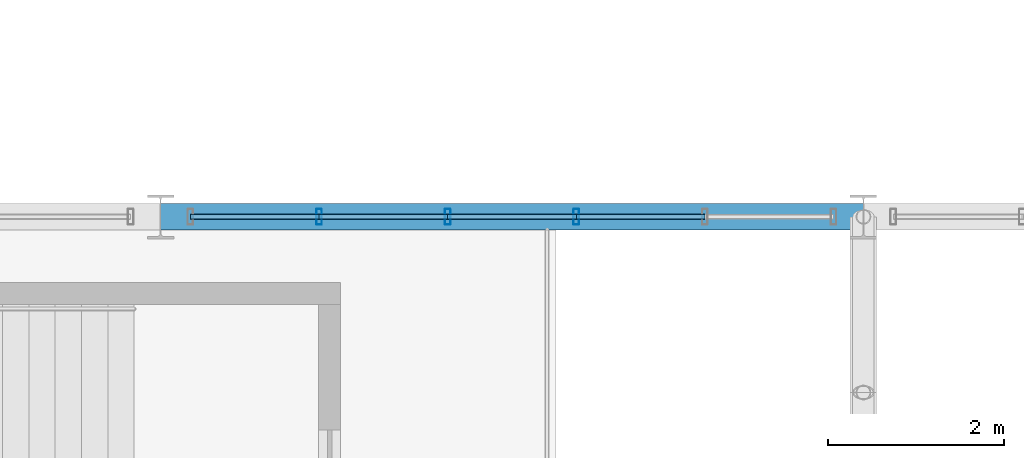
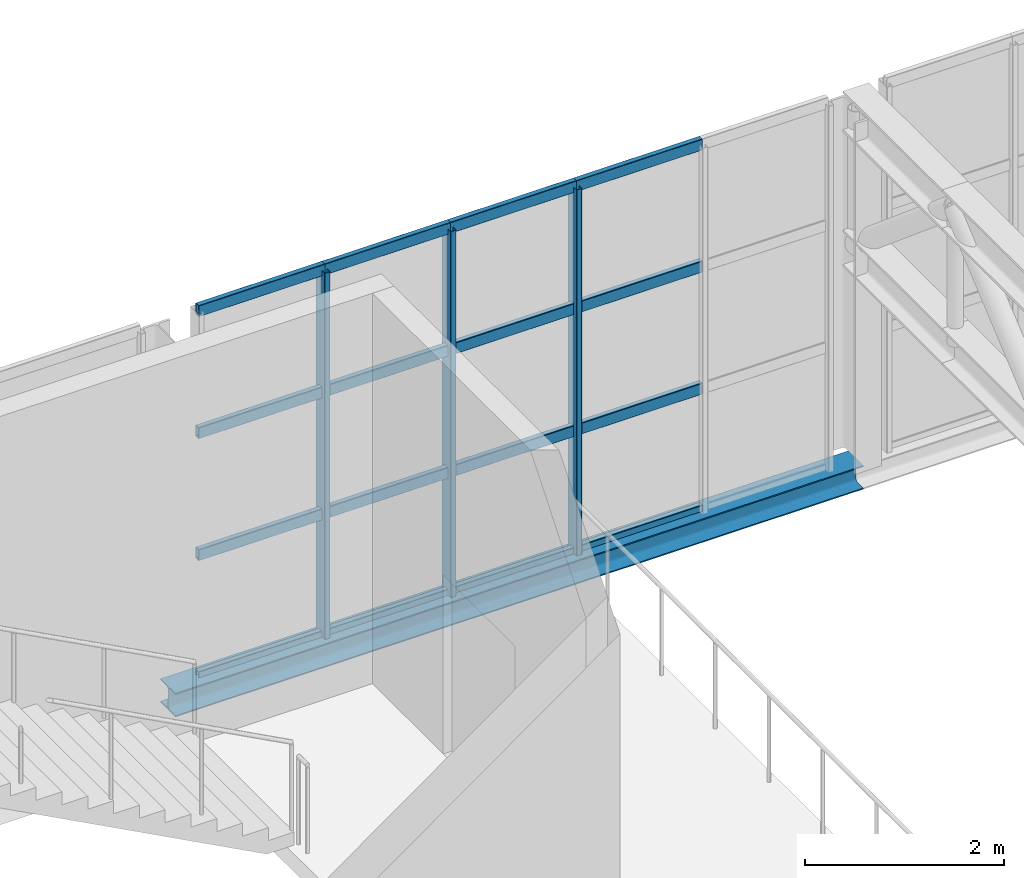
# One storey, part 52 of 143: 19 members, 1 beam, 1 element without a shape of its own.
"""IFC4 building model written with IfcOpenShell, lengths in metres."""

from ifc_helpers import new_model, si_unit, derived_unit, direction, frame, origin, origin_2d, place, context, subcontext, project, spatial, hollow_rectangle, i_section, extrude, material, material_profile, profile_set, type_object, element, aggregate, save


model = new_model("IFC4")

# Units and contexts
model_context = context("Model", 3, precision=1e-05, world=origin(), true_north=direction((0.0, 1.0)))
body_context = subcontext(model_context, "Body", "Model", "MODEL_VIEW")
ifc_project = project(units=[si_unit("LENGTHUNIT", "METRE"), si_unit("AREAUNIT", "SQUARE_METRE"), si_unit("VOLUMEUNIT", "CUBIC_METRE"), si_unit("PLANEANGLEUNIT", "RADIAN"), si_unit("MASSUNIT", "GRAM", prefix="KILO"), derived_unit("THERMALTRANSMITTANCEUNIT", [(si_unit("POWERUNIT", "WATT"), 1), (si_unit("LENGTHUNIT", "METRE"), -2), (si_unit("THERMODYNAMICTEMPERATUREUNIT", "KELVIN"), -1)])], contexts=[model_context])

# Site, building, storey
site_placement = place(None, origin())
site = spatial("IfcSite", under=ifc_project, at=site_placement, CompositionType="ELEMENT")
building_placement = place(site_placement, origin())
building = spatial("IfcBuilding", under=site, at=building_placement, Name="Keldorne Ridge Multi-Sports Centre", CompositionType="ELEMENT")
storey_placement = place(building_placement, frame((0.0, 0.0, 4.800048828125)))
storey = spatial("IfcBuildingStorey", under=building, at=storey_placement, Name="L01", CompositionType="ELEMENT", Elevation=4.800048828125)

# Beam
ifc_material_1 = material(Name="Steel S355", Category="steel")
ifc_material_profile_1 = material_profile(ifc_material_1, i_section(OverallWidth=0.300048828125, OverallDepth=0.2900390625, WebThickness=0.008544921875, FlangeThickness=0.013916015625, FilletRadius=0.027099609375, at=origin_2d()), Name="HEA 300")
ifc_profile_set_1 = profile_set([ifc_material_profile_1], Name="Steel S355")
beam_type = type_object("IfcBeamType", Name="BM-SP-04", PredefinedType="SPANDREL", material=ifc_profile_set_1)
beam_placement = place(storey_placement, frame((112.0, 54.0, -0.150146484375), z_axis=(1.0, 0.0, 0.0), x_axis=(0.0, 1.0, 0.0)))
element("IfcBeam", 1, at=beam_placement, inside=storey, type_object=beam_type, Name="Stacked Courts spandrel L01.54.2", PredefinedType="SPANDREL", context=body_context, shape_type="SweptSolid", body=[
    extrude(i_section(OverallWidth=0.300048828125, OverallDepth=0.2900390625, WebThickness=0.008544921875, FlangeThickness=0.013916015625, FilletRadius=0.027099609375, at=origin_2d()), origin(), (0.0, 0.0, 1.0), 8.0),
])

# Curtain wall, members
ifc_material_2 = material(Name="Anodized aluminium", Category="aluminium")
curtain_wall_type = type_object("IfcCurtainWallType", Name="CW-CW-01", PredefinedType="NOTDEFINED", material=ifc_material_2)
curtain_wall_placement = place(storey_placement, origin())
curtain_wall = element("IfcCurtainWall", 2, at=curtain_wall_placement, inside=storey, type_object=curtain_wall_type, Name="Lower Courts north clerestory 097", PredefinedType="NOTDEFINED")
ifc_material_profile_2 = material_profile(ifc_material_2, hollow_rectangle(XDim=0.06494140625, YDim=0.179931640625, WallThickness=0.00439453125, InnerFilletRadius=0.00439453125, OuterFilletRadius=0.009033203125, at=origin_2d()), Name="ALU MULLION 180x65x4.5")
ifc_profile_set_2 = profile_set([ifc_material_profile_2], Name="Anodized aluminium")
member_type_1 = type_object("IfcMemberType", Name="MEM-ML-01", PredefinedType="MULLION", material=ifc_profile_set_2)
member_1_placement = place(storey_placement, frame((116.73193359375, 54.0, 0.0), z_axis=(0.0, 0.0, 1.0), x_axis=(1.0, 0.0, 0.0)))
member_1 = element("IfcMember", 3, at=member_1_placement, type_object=member_type_1, Name="CW-097 vertical mullion 3", PredefinedType="MULLION", context=body_context, shape_type="SweptSolid", body=[
    extrude(hollow_rectangle(XDim=0.06494140625, YDim=0.179931640625, WallThickness=0.00439453125, InnerFilletRadius=0.00439453125, OuterFilletRadius=0.009033203125, at=origin_2d()), origin(), (0.0, 0.0, 1.0), 4.5),
])
member_2_placement = place(storey_placement, frame((115.26806640625, 54.0, 0.0), z_axis=(0.0, 0.0, 1.0), x_axis=(1.0, 0.0, 0.0)))
member_2 = element("IfcMember", 4, at=member_2_placement, type_object=member_type_1, Name="CW-097 vertical mullion 4", PredefinedType="MULLION", context=body_context, shape_type="SweptSolid", body=[
    extrude(hollow_rectangle(XDim=0.06494140625, YDim=0.179931640625, WallThickness=0.00439453125, InnerFilletRadius=0.00439453125, OuterFilletRadius=0.009033203125, at=origin_2d()), origin(), (0.0, 0.0, 1.0), 4.5),
])
member_3_placement = place(storey_placement, frame((113.803955078125, 54.0, 0.0), z_axis=(0.0, 0.0, 1.0), x_axis=(1.0, 0.0, 0.0)))
member_3 = element("IfcMember", 5, at=member_3_placement, type_object=member_type_1, Name="CW-097 vertical mullion 5", PredefinedType="MULLION", context=body_context, shape_type="SweptSolid", body=[
    extrude(hollow_rectangle(XDim=0.06494140625, YDim=0.179931640625, WallThickness=0.00439453125, InnerFilletRadius=0.00439453125, OuterFilletRadius=0.009033203125, at=origin_2d()), origin(), (0.0, 0.0, 1.0), 4.5),
])
ifc_material_profile_3 = material_profile(ifc_material_2, hollow_rectangle(XDim=0.06494140625, YDim=0.139892578125, WallThickness=0.00439453125, InnerFilletRadius=0.00439453125, OuterFilletRadius=0.009033203125, at=origin_2d()), Name="ALU TRANSOM 140x65x4.5")
ifc_profile_set_3 = profile_set([ifc_material_profile_3], Name="Anodized aluminium")
member_type_2 = type_object("IfcMemberType", Name="MEM-TR-01", PredefinedType="USERDEFINED", material=ifc_profile_set_3)
member_4_placement = place(storey_placement, frame((118.196044921875, 54.0, 0.0), z_axis=(-1.0, 0.0, 0.0), x_axis=(0.0, -1.0, 0.0)))
member_4 = element("IfcMember", 6, at=member_4_placement, type_object=member_type_2, Name="CW-097 transom 2.1", ObjectType="TRANSOM", PredefinedType="USERDEFINED", context=body_context, shape_type="SweptSolid", body=[
    extrude(hollow_rectangle(XDim=0.06494140625, YDim=0.139892578125, WallThickness=0.00439453125, InnerFilletRadius=0.00439453125, OuterFilletRadius=0.009033203125, at=origin_2d()), origin(), (0.0, 0.0, 1.0), 1.464111328125),
])
member_5_placement = place(storey_placement, frame((118.196044921875, 54.0, 1.5), z_axis=(-1.0, 0.0, 0.0), x_axis=(0.0, -1.0, 0.0)))
member_5 = element("IfcMember", 7, at=member_5_placement, type_object=member_type_2, Name="CW-097 transom 2.2", ObjectType="TRANSOM", PredefinedType="USERDEFINED", context=body_context, shape_type="SweptSolid", body=[
    extrude(hollow_rectangle(XDim=0.06494140625, YDim=0.139892578125, WallThickness=0.00439453125, InnerFilletRadius=0.00439453125, OuterFilletRadius=0.009033203125, at=origin_2d()), origin(), (0.0, 0.0, 1.0), 1.464111328125),
])
member_6_placement = place(storey_placement, frame((118.196044921875, 54.0, 3.0), z_axis=(-1.0, 0.0, 0.0), x_axis=(0.0, -1.0, 0.0)))
member_6 = element("IfcMember", 8, at=member_6_placement, type_object=member_type_2, Name="CW-097 transom 2.3", ObjectType="TRANSOM", PredefinedType="USERDEFINED", context=body_context, shape_type="SweptSolid", body=[
    extrude(hollow_rectangle(XDim=0.06494140625, YDim=0.139892578125, WallThickness=0.00439453125, InnerFilletRadius=0.00439453125, OuterFilletRadius=0.009033203125, at=origin_2d()), origin(), (0.0, 0.0, 1.0), 1.464111328125),
])
member_7_placement = place(storey_placement, frame((118.196044921875, 54.0, 4.5), z_axis=(-1.0, 0.0, 0.0), x_axis=(0.0, -1.0, 0.0)))
member_7 = element("IfcMember", 9, at=member_7_placement, type_object=member_type_2, Name="CW-097 transom 2.4", ObjectType="TRANSOM", PredefinedType="USERDEFINED", context=body_context, shape_type="SweptSolid", body=[
    extrude(hollow_rectangle(XDim=0.06494140625, YDim=0.139892578125, WallThickness=0.00439453125, InnerFilletRadius=0.00439453125, OuterFilletRadius=0.009033203125, at=origin_2d()), origin(), (0.0, 0.0, 1.0), 1.464111328125),
])
member_8_placement = place(storey_placement, frame((116.73193359375, 54.0, 0.0), z_axis=(-1.0, 0.0, 0.0), x_axis=(0.0, -1.0, 0.0)))
member_8 = element("IfcMember", 10, at=member_8_placement, type_object=member_type_2, Name="CW-097 transom 3.1", ObjectType="TRANSOM", PredefinedType="USERDEFINED", context=body_context, shape_type="SweptSolid", body=[
    extrude(hollow_rectangle(XDim=0.06494140625, YDim=0.139892578125, WallThickness=0.00439453125, InnerFilletRadius=0.00439453125, OuterFilletRadius=0.009033203125, at=origin_2d()), origin(), (0.0, 0.0, 1.0), 1.4638671875),
])
member_9_placement = place(storey_placement, frame((116.73193359375, 54.0, 1.5), z_axis=(-1.0, 0.0, 0.0), x_axis=(0.0, -1.0, 0.0)))
member_9 = element("IfcMember", 11, at=member_9_placement, type_object=member_type_2, Name="CW-097 transom 3.2", ObjectType="TRANSOM", PredefinedType="USERDEFINED", context=body_context, shape_type="SweptSolid", body=[
    extrude(hollow_rectangle(XDim=0.06494140625, YDim=0.139892578125, WallThickness=0.00439453125, InnerFilletRadius=0.00439453125, OuterFilletRadius=0.009033203125, at=origin_2d()), origin(), (0.0, 0.0, 1.0), 1.4638671875),
])
member_10_placement = place(storey_placement, frame((116.73193359375, 54.0, 3.0), z_axis=(-1.0, 0.0, 0.0), x_axis=(0.0, -1.0, 0.0)))
member_10 = element("IfcMember", 12, at=member_10_placement, type_object=member_type_2, Name="CW-097 transom 3.3", ObjectType="TRANSOM", PredefinedType="USERDEFINED", context=body_context, shape_type="SweptSolid", body=[
    extrude(hollow_rectangle(XDim=0.06494140625, YDim=0.139892578125, WallThickness=0.00439453125, InnerFilletRadius=0.00439453125, OuterFilletRadius=0.009033203125, at=origin_2d()), origin(), (0.0, 0.0, 1.0), 1.4638671875),
])
member_11_placement = place(storey_placement, frame((116.73193359375, 54.0, 4.5), z_axis=(-1.0, 0.0, 0.0), x_axis=(0.0, -1.0, 0.0)))
member_11 = element("IfcMember", 13, at=member_11_placement, type_object=member_type_2, Name="CW-097 transom 3.4", ObjectType="TRANSOM", PredefinedType="USERDEFINED", context=body_context, shape_type="SweptSolid", body=[
    extrude(hollow_rectangle(XDim=0.06494140625, YDim=0.139892578125, WallThickness=0.00439453125, InnerFilletRadius=0.00439453125, OuterFilletRadius=0.009033203125, at=origin_2d()), origin(), (0.0, 0.0, 1.0), 1.4638671875),
])
member_12_placement = place(storey_placement, frame((115.26806640625, 54.0, 0.0), z_axis=(-1.0, 0.0, 0.0), x_axis=(0.0, -1.0, 0.0)))
member_12 = element("IfcMember", 14, at=member_12_placement, type_object=member_type_2, Name="CW-097 transom 4.1", ObjectType="TRANSOM", PredefinedType="USERDEFINED", context=body_context, shape_type="SweptSolid", body=[
    extrude(hollow_rectangle(XDim=0.06494140625, YDim=0.139892578125, WallThickness=0.00439453125, InnerFilletRadius=0.00439453125, OuterFilletRadius=0.009033203125, at=origin_2d()), origin(), (0.0, 0.0, 1.0), 1.464111328125),
])
member_13_placement = place(storey_placement, frame((115.26806640625, 54.0, 1.5), z_axis=(-1.0, 0.0, 0.0), x_axis=(0.0, -1.0, 0.0)))
member_13 = element("IfcMember", 15, at=member_13_placement, type_object=member_type_2, Name="CW-097 transom 4.2", ObjectType="TRANSOM", PredefinedType="USERDEFINED", context=body_context, shape_type="SweptSolid", body=[
    extrude(hollow_rectangle(XDim=0.06494140625, YDim=0.139892578125, WallThickness=0.00439453125, InnerFilletRadius=0.00439453125, OuterFilletRadius=0.009033203125, at=origin_2d()), origin(), (0.0, 0.0, 1.0), 1.464111328125),
])
member_14_placement = place(storey_placement, frame((115.26806640625, 54.0, 3.0), z_axis=(-1.0, 0.0, 0.0), x_axis=(0.0, -1.0, 0.0)))
member_14 = element("IfcMember", 16, at=member_14_placement, type_object=member_type_2, Name="CW-097 transom 4.3", ObjectType="TRANSOM", PredefinedType="USERDEFINED", context=body_context, shape_type="SweptSolid", body=[
    extrude(hollow_rectangle(XDim=0.06494140625, YDim=0.139892578125, WallThickness=0.00439453125, InnerFilletRadius=0.00439453125, OuterFilletRadius=0.009033203125, at=origin_2d()), origin(), (0.0, 0.0, 1.0), 1.464111328125),
])
member_15_placement = place(storey_placement, frame((115.26806640625, 54.0, 4.5), z_axis=(-1.0, 0.0, 0.0), x_axis=(0.0, -1.0, 0.0)))
member_15 = element("IfcMember", 17, at=member_15_placement, type_object=member_type_2, Name="CW-097 transom 4.4", ObjectType="TRANSOM", PredefinedType="USERDEFINED", context=body_context, shape_type="SweptSolid", body=[
    extrude(hollow_rectangle(XDim=0.06494140625, YDim=0.139892578125, WallThickness=0.00439453125, InnerFilletRadius=0.00439453125, OuterFilletRadius=0.009033203125, at=origin_2d()), origin(), (0.0, 0.0, 1.0), 1.464111328125),
])
member_16_placement = place(storey_placement, frame((113.803955078125, 54.0, 0.0), z_axis=(-1.0, 0.0, 0.0), x_axis=(0.0, -1.0, 0.0)))
member_16 = element("IfcMember", 18, at=member_16_placement, type_object=member_type_2, Name="CW-097 transom 5.1", ObjectType="TRANSOM", PredefinedType="USERDEFINED", context=body_context, shape_type="SweptSolid", body=[
    extrude(hollow_rectangle(XDim=0.06494140625, YDim=0.139892578125, WallThickness=0.00439453125, InnerFilletRadius=0.00439453125, OuterFilletRadius=0.009033203125, at=origin_2d()), origin(), (0.0, 0.0, 1.0), 1.4638671875),
])
member_17_placement = place(storey_placement, frame((113.803955078125, 54.0, 1.5), z_axis=(-1.0, 0.0, 0.0), x_axis=(0.0, -1.0, 0.0)))
member_17 = element("IfcMember", 19, at=member_17_placement, type_object=member_type_2, Name="CW-097 transom 5.2", ObjectType="TRANSOM", PredefinedType="USERDEFINED", context=body_context, shape_type="SweptSolid", body=[
    extrude(hollow_rectangle(XDim=0.06494140625, YDim=0.139892578125, WallThickness=0.00439453125, InnerFilletRadius=0.00439453125, OuterFilletRadius=0.009033203125, at=origin_2d()), origin(), (0.0, 0.0, 1.0), 1.4638671875),
])
member_18_placement = place(storey_placement, frame((113.803955078125, 54.0, 3.0), z_axis=(-1.0, 0.0, 0.0), x_axis=(0.0, -1.0, 0.0)))
member_18 = element("IfcMember", 20, at=member_18_placement, type_object=member_type_2, Name="CW-097 transom 5.3", ObjectType="TRANSOM", PredefinedType="USERDEFINED", context=body_context, shape_type="SweptSolid", body=[
    extrude(hollow_rectangle(XDim=0.06494140625, YDim=0.139892578125, WallThickness=0.00439453125, InnerFilletRadius=0.00439453125, OuterFilletRadius=0.009033203125, at=origin_2d()), origin(), (0.0, 0.0, 1.0), 1.4638671875),
])
member_19_placement = place(storey_placement, frame((113.803955078125, 54.0, 4.5), z_axis=(-1.0, 0.0, 0.0), x_axis=(0.0, -1.0, 0.0)))
member_19 = element("IfcMember", 21, at=member_19_placement, type_object=member_type_2, Name="CW-097 transom 5.4", ObjectType="TRANSOM", PredefinedType="USERDEFINED", context=body_context, shape_type="SweptSolid", body=[
    extrude(hollow_rectangle(XDim=0.06494140625, YDim=0.139892578125, WallThickness=0.00439453125, InnerFilletRadius=0.00439453125, OuterFilletRadius=0.009033203125, at=origin_2d()), origin(), (0.0, 0.0, 1.0), 1.4638671875),
])
aggregate(curtain_wall, [member_1, member_2, member_3, member_4, member_5, member_6, member_7, member_8, member_9, member_10, member_11, member_12, member_13, member_14, member_15, member_16, member_17, member_18, member_19])

save(model, "model.ifc")
